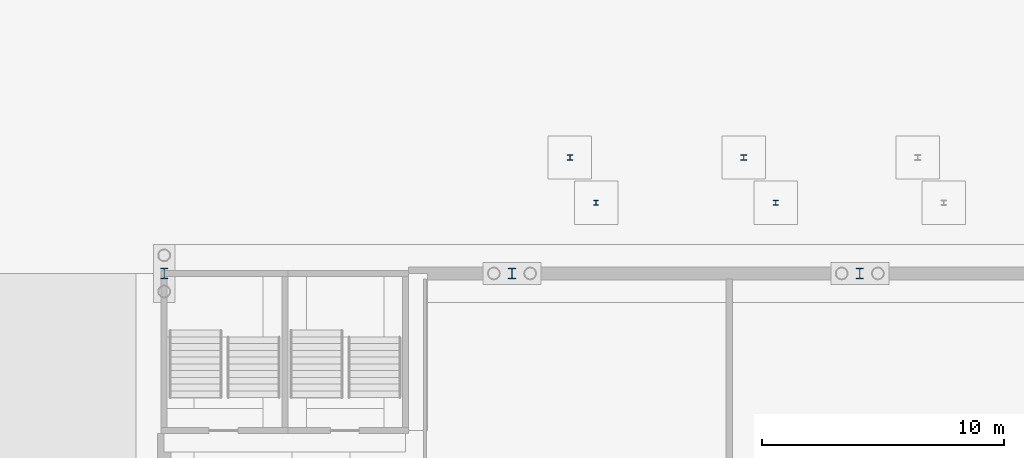
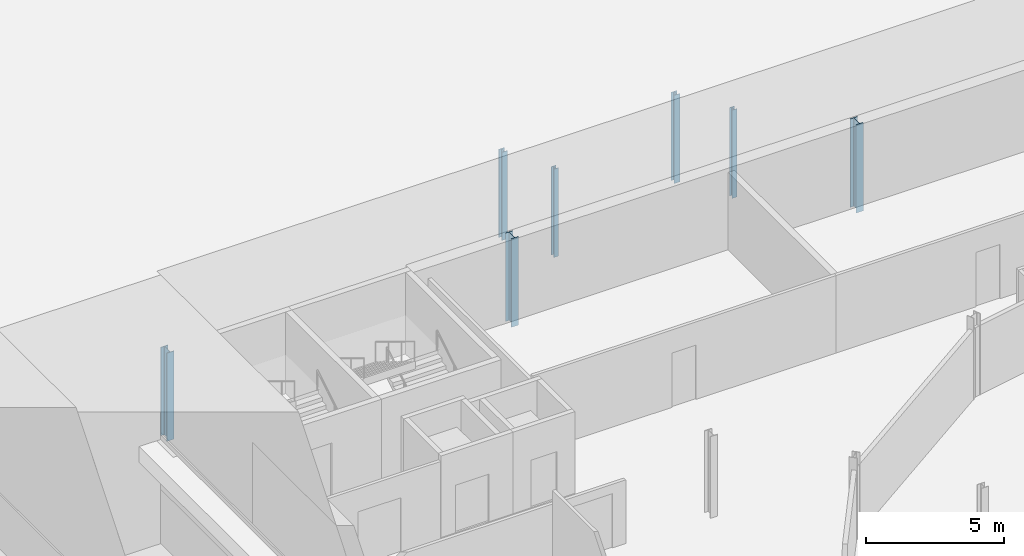
# One storey, part 56 of 148: 7 columns.
"""IFC4 building model written with IfcOpenShell, lengths in metres."""

from ifc_helpers import new_model, si_unit, direction, frame, origin, origin_2d, place, context, subcontext, project, spatial, i_section, extrude, material, material_profile, profile_set, type_object, element, save


model = new_model("IFC4")

# Units and contexts
model_context = context("Model", 3, precision=1e-05, world=origin(), true_north=direction((0.0, 1.0)))
body_context = subcontext(model_context, "Body", "Model", "MODEL_VIEW")
ifc_project = project(units=[si_unit("LENGTHUNIT", "METRE"), si_unit("AREAUNIT", "SQUARE_METRE"), si_unit("VOLUMEUNIT", "CUBIC_METRE"), si_unit("PLANEANGLEUNIT", "RADIAN"), si_unit("MASSUNIT", "GRAM", prefix="KILO")], contexts=[model_context])

# Site, building, storey
site_placement = place(None, origin())
site = spatial("IfcSite", under=ifc_project, at=site_placement, CompositionType="ELEMENT")
building_placement = place(site_placement, origin())
building = spatial("IfcBuilding", under=site, at=building_placement, Name="Kupolbacken Congress Centre", CompositionType="ELEMENT")
storey_placement = place(building_placement, origin())
storey = spatial("IfcBuildingStorey", under=building, at=storey_placement, Name="L00", CompositionType="ELEMENT", Elevation=0.0)

# Columns
ifc_material_1 = material(Name="Steel S355", Category="steel")
ifc_material_profile_1 = material_profile(ifc_material_1, i_section(OverallWidth=0.300048828125, OverallDepth=0.449951171875, WebThickness=0.013916015625, FlangeThickness=0.02587890625, FilletRadius=0.027099609375, at=origin_2d()), Name="HEB 450")
ifc_profile_set_1 = profile_set([ifc_material_profile_1], Name="Steel S355")
column_type_1 = type_object("IfcColumnType", Name="C03 column HEB 450", PredefinedType="COLUMN", material=ifc_profile_set_1)
for number, where, z_axis, x_axis, name in (
    (1, (7.199951171875, 122.39990234375, -0.300048828125), (0.0, 0.0, 1.0), (1.0, 0.0, 0.0), "S/col/C-P-2T/L00"),
    (2, (21.60009765625, 122.39990234375, -0.300048828125), (0.0, 0.0, 1.0), (1.0, 0.0, 0.0), "S/col/C-P-4T/L00"),
    (3, (36.0, 122.39990234375, -0.300048828125), (0.0, 0.0, 1.0), (1.0, 0.0, 0.0), "S/col/C-P-6T/L00"),
):
    element("IfcColumn", number, at=place(storey_placement, frame(where, z_axis=z_axis, x_axis=x_axis)), inside=storey, type_object=column_type_1, Name=name, PredefinedType="COLUMN", context=body_context, shape_type="SweptSolid", body=[
        extrude(i_section(OverallWidth=0.300048828125, OverallDepth=0.449951171875, WebThickness=0.013916015625, FlangeThickness=0.02587890625, FilletRadius=0.027099609375, at=origin_2d()), origin(), (0.0, 0.0, 1.0), 3.900146484375),
    ])
ifc_material_2 = material(Name="Steel S355", Category="steel")
ifc_material_profile_2 = material_profile(ifc_material_2, i_section(OverallWidth=0.239990234375, OverallDepth=0.22998046875, WebThickness=0.007568359375, FlangeThickness=0.011962890625, FilletRadius=0.02099609375, at=origin_2d()), Name="HEA 240")
ifc_profile_set_2 = profile_set([ifc_material_profile_2], Name="Steel S355")
column_type_2 = type_object("IfcColumnType", Name="C10 column HEA 240", PredefinedType="COLUMN", material=ifc_profile_set_2)
for number, where, z_axis, x_axis, name in (
    (4, (24.0, 127.199951171875, -0.300048828125), (0.0, 0.0, 1.0), (1.0, 0.0, 0.0), "E/T/portico/P/col24/L00"),
    (5, (31.199951171875, 127.199951171875, -0.300048828125), (0.0, 0.0, 1.0), (1.0, 0.0, 0.0), "E/T/portico/P/col31.2/L00"),
):
    element("IfcColumn", number, at=place(storey_placement, frame(where, z_axis=z_axis, x_axis=x_axis)), inside=storey, type_object=column_type_2, Name=name, PredefinedType="COLUMN", context=body_context, shape_type="SweptSolid", body=[
        extrude(i_section(OverallWidth=0.239990234375, OverallDepth=0.22998046875, WebThickness=0.007568359375, FlangeThickness=0.011962890625, FilletRadius=0.02099609375, at=origin_2d()), origin(), (0.0, 0.0, 1.0), 3.900146484375),
    ])
ifc_material_3 = material(Name="Steel S355", Category="steel")
ifc_material_profile_3 = material_profile(ifc_material_3, i_section(OverallWidth=0.199951171875, OverallDepth=0.199951171875, WebThickness=0.009033203125, FlangeThickness=0.014892578125, FilletRadius=0.01806640625, at=origin_2d()), Name="HEB 200")
ifc_profile_set_3 = profile_set([ifc_material_profile_3], Name="Steel S355")
column_type_3 = type_object("IfcColumnType", Name="C11 column HEB 200", PredefinedType="COLUMN", material=ifc_profile_set_3)
for number, where, z_axis, x_axis, name in (
    (6, (32.52001953125, 125.320068359375, -0.300048828125), (0.0, 0.0, 1.0), (1.0, 0.0, 0.0), "E/canopy/HEN1/col1/L00"),
    (7, (25.080078125, 125.320068359375, -0.300048828125), (0.0, 0.0, 1.0), (1.0, 0.0, 0.0), "E/canopy/HEN1/col2/L00"),
):
    element("IfcColumn", number, at=place(storey_placement, frame(where, z_axis=z_axis, x_axis=x_axis)), inside=storey, type_object=column_type_3, Name=name, PredefinedType="COLUMN", context=body_context, shape_type="SweptSolid", body=[
        extrude(i_section(OverallWidth=0.199951171875, OverallDepth=0.199951171875, WebThickness=0.009033203125, FlangeThickness=0.014892578125, FilletRadius=0.01806640625, at=origin_2d()), origin(), (0.0, 0.0, 1.0), 3.900146484375),
    ])

save(model, "model.ifc")
